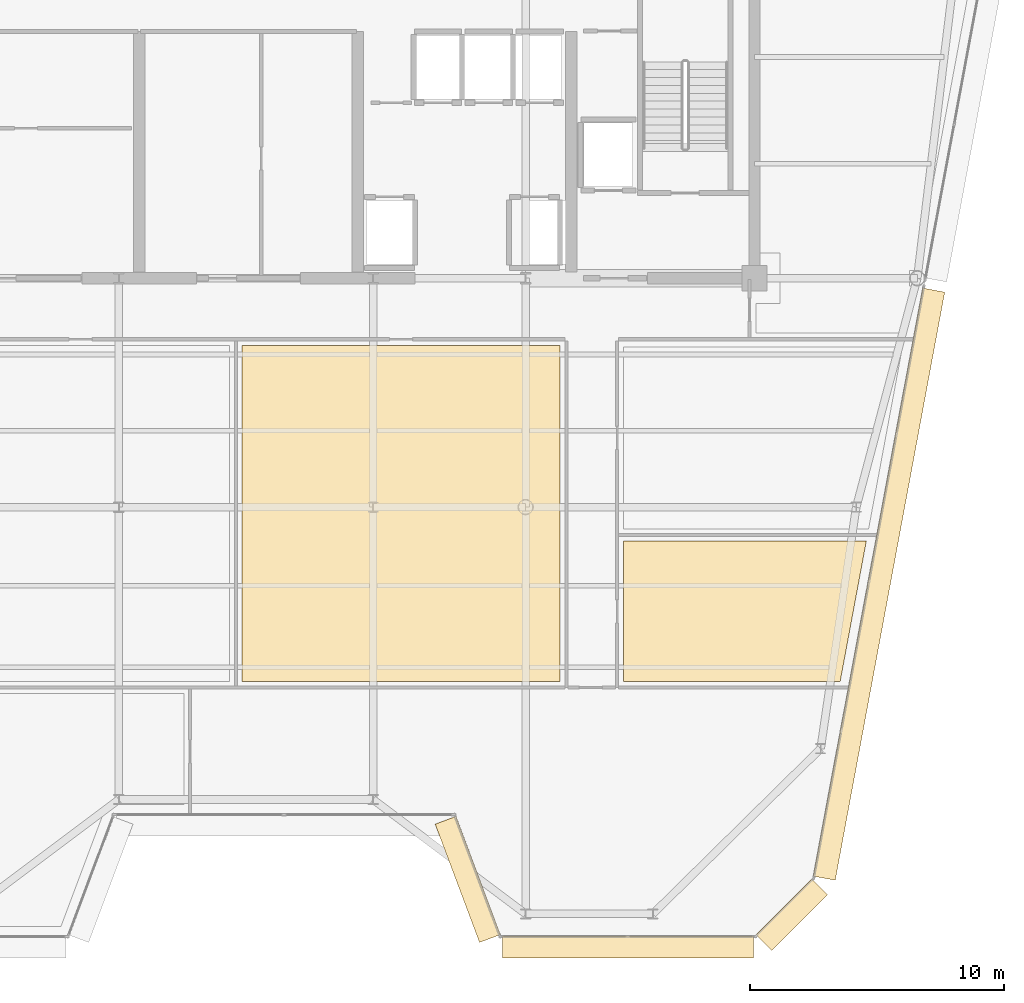
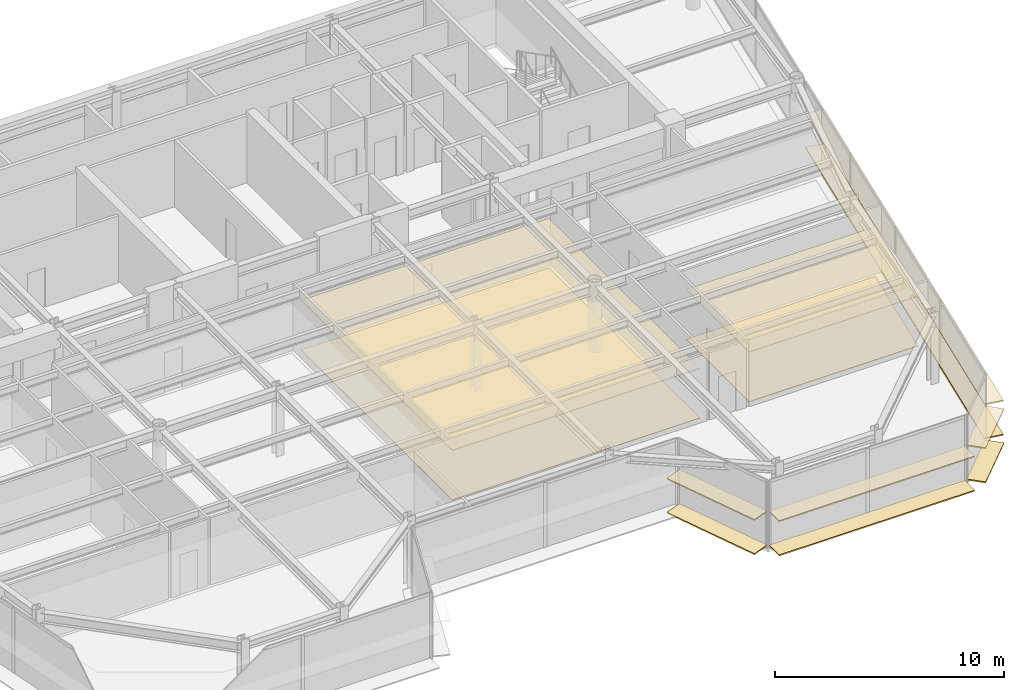
# One storey, part 15 of 19: 12 coverings.
"""IFC4 building model written with IfcOpenShell, lengths in metres."""

from ifc_helpers import new_model, si_unit, direction, frame, origin, origin_2d, place, context, subcontext, project, spatial, polyline, rectangle, outline, extrude, source, transform, mapped, material, layer, layer_set, type_object, element, save


model = new_model("IFC4")

# Units and contexts
model_context = context("Model", 3, precision=1e-05, world=origin(), true_north=direction((0.0, 1.0)))
body_context = subcontext(model_context, "Body", "Model", "MODEL_VIEW")
ifc_project = project(units=[si_unit("LENGTHUNIT", "METRE"), si_unit("AREAUNIT", "SQUARE_METRE"), si_unit("VOLUMEUNIT", "CUBIC_METRE"), si_unit("PLANEANGLEUNIT", "RADIAN"), si_unit("MASSUNIT", "GRAM", prefix="KILO")], contexts=[model_context])

# Site, building, storey
site_placement = place(None, origin())
site = spatial("IfcSite", under=ifc_project, at=site_placement, CompositionType="ELEMENT")
building_placement = place(site_placement, origin())
building = spatial("IfcBuilding", under=site, at=building_placement, Name="Vaeldorn Concourse Tower", CompositionType="ELEMENT")
storey_placement = place(building_placement, frame((0.0, 0.0, 249.800048828125)))
storey = spatial("IfcBuildingStorey", under=building, at=storey_placement, Name="L64", CompositionType="ELEMENT", Elevation=249.800048828125)

# Coverings
ifc_material_1 = material(Name="Acoustic Mineral Fibre Board", Category="gypsum")
ifc_layer_1 = layer(ifc_material_1, 0.0400390625)
ifc_layer_set_1 = layer_set([ifc_layer_1], Name="Acoustic Mineral Fibre Board")
covering_type_1 = type_object("IfcCoveringType", Name="COV-CEIL-ACOUSTIC", PredefinedType="CEILING", material=ifc_layer_set_1)
covering_1_placement = place(storey_placement, frame((0.0, 0.0, 2.64990234375)))
element("IfcCovering", 1, at=covering_1_placement, inside=storey, type_object=covering_type_1, Name="Suspended Acoustic Ceiling L64-8", PredefinedType="CEILING", context=body_context, shape_type="SweptSolid", body=[
    extrude(outline(polyline([(48.840087890625, 20.639892578125), (48.840087890625, 26.159912109375), (58.396240234375, 26.159912109375), (57.368408203125, 20.639892578125), (48.840087890625, 20.639892578125)])), origin(), (0.0, 0.0, 1.0), 0.0400390625),
])
covering_2_placement = place(storey_placement, frame((0.0, 0.0, 2.64990234375)))
element("IfcCovering", 2, at=covering_2_placement, inside=storey, type_object=covering_type_1, Name="Suspended Acoustic Ceiling L64-11", PredefinedType="CEILING", context=body_context, shape_type="SweptSolid", body=[
    extrude(outline(polyline([(33.840087890625, 33.860107421875), (46.360107421875, 33.860107421875), (46.360107421875, 20.639892578125), (33.840087890625, 20.639892578125), (33.840087890625, 33.860107421875)])), origin(), (0.0, 0.0, 1.0), 0.0400390625),
])
ifc_material_2 = material(Name="Honed Limestone Terrazzo Flooring", Category="masonry")
ifc_layer_2 = layer(ifc_material_2, 0.0400390625)
ifc_layer_set_2 = layer_set([ifc_layer_2], Name="Honed Limestone Terrazzo Flooring")
covering_type_2 = type_object("IfcCoveringType", Name="COV-FLOOR-STONE", PredefinedType="FLOORING", material=ifc_layer_set_2)
covering_3_placement = place(storey_placement, origin())
element("IfcCovering", 3, at=covering_3_placement, inside=storey, type_object=covering_type_2, Name="Floor Finish Covering L64-8", PredefinedType="FLOORING", context=body_context, shape_type="SweptSolid", body=[
    extrude(outline(polyline([(48.840087890625, 20.639892578125), (48.840087890625, 26.159912109375), (58.396240234375, 26.159912109375), (57.368408203125, 20.639892578125), (48.840087890625, 20.639892578125)])), origin(), (0.0, 0.0, 1.0), 0.030029296875),
])
covering_4_placement = place(storey_placement, origin())
element("IfcCovering", 4, at=covering_4_placement, inside=storey, type_object=covering_type_2, Name="Floor Finish Covering L64-11", PredefinedType="FLOORING", context=body_context, shape_type="SweptSolid", body=[
    extrude(outline(polyline([(33.840087890625, 33.860107421875), (46.360107421875, 33.860107421875), (46.360107421875, 20.639892578125), (33.840087890625, 20.639892578125), (33.840087890625, 33.860107421875)])), origin(), (0.0, 0.0, 1.0), 0.030029296875),
])
ifc_material_3 = material(Name="Anodised Bronze Aluminium", Category="aluminium")
ifc_layer_3 = layer(ifc_material_3, 0.06494140625)
ifc_layer_set_3 = layer_set([ifc_layer_3], Name="Anodised Bronze Aluminium")
covering_type_3 = type_object("IfcCoveringType", Name="SD-BRONZE-SUNSHADE", PredefinedType="USERDEFINED", material=ifc_layer_set_3)
shared_shape_1 = source(origin(), body_context, "Body", "SweptSolid", [
    extrude(rectangle(XDim=4.96630859375, YDim=0.8798828125, at=origin_2d()), origin(), (0.0, 0.0, 1.0), 0.06494140625),
])
for number, where, z_axis, x_axis, name in (
    (5, (42.7255859375, 12.859619140625, 0.04736328125), (0.0, 0.0, 1.0), (0.351122702609, -0.936329454686, 0.0), "Horizontal Bronze Sunshade L64-E04.1.1"),
    (6, (42.7255859375, 12.859619140625, 1.867431640625), (0.0, 0.0, 1.0), (0.351122702609, -0.936329454686, 0.0), "Horizontal Bronze Sunshade L64-E04.1.2"),
):
    element("IfcCovering", number, at=place(storey_placement, frame(where, z_axis=z_axis, x_axis=x_axis)), inside=storey, type_object=covering_type_3, Name=name, ObjectType="SUNSHADE", PredefinedType="USERDEFINED", context=body_context, shape_type="MappedRepresentation", body=[
        mapped(shared_shape_1, transform((0.0, 0.0, 0.0), scale=1.0)),
    ])
shared_shape_2 = source(origin(), body_context, "Body", "SweptSolid", [
    extrude(rectangle(XDim=3.0927734375, YDim=0.8798828125, at=origin_2d()), origin(), (0.0, 0.0, 1.0), 0.06494140625),
])
for number, where, z_axis, x_axis, name in (
    (7, (55.466796875, 11.46728515625, 0.04736328125), (0.0, 0.0, 1.0), (0.707106781187, 0.707106781187, 0.0), "Horizontal Bronze Sunshade L64-E06.1.1"),
    (8, (55.466796875, 11.46728515625, 1.867431640625), (0.0, 0.0, 1.0), (0.707106781187, 0.707106781187, 0.0), "Horizontal Bronze Sunshade L64-E06.1.2"),
):
    element("IfcCovering", number, at=place(storey_placement, frame(where, z_axis=z_axis, x_axis=x_axis)), inside=storey, type_object=covering_type_3, Name=name, ObjectType="SUNSHADE", PredefinedType="USERDEFINED", context=body_context, shape_type="MappedRepresentation", body=[
        mapped(shared_shape_2, transform((0.0, 0.0, 0.0), scale=1.0)),
    ])
shared_shape_3 = source(origin(), body_context, "Body", "SweptSolid", [
    extrude(rectangle(XDim=23.525146484375, YDim=0.8798828125, at=origin_2d()), origin(), (0.0, 0.0, 1.0), 0.06494140625),
])
for number, where, z_axis, x_axis, name in (
    (9, (58.89501953125, 24.46923828125, 0.04736328125), (0.0, 0.0, 1.0), (0.183059191151, 0.983101893262, 0.0), "Horizontal Bronze Sunshade L64-E07.1.1"),
    (10, (58.89501953125, 24.46923828125, 1.867431640625), (0.0, 0.0, 1.0), (0.183059191151, 0.983101893262, 0.0), "Horizontal Bronze Sunshade L64-E07.1.2"),
):
    element("IfcCovering", number, at=place(storey_placement, frame(where, z_axis=z_axis, x_axis=x_axis)), inside=storey, type_object=covering_type_3, Name=name, ObjectType="SUNSHADE", PredefinedType="USERDEFINED", context=body_context, shape_type="MappedRepresentation", body=[
        mapped(shared_shape_3, transform((0.0, 0.0, 0.0), scale=1.0)),
    ])
shared_shape_4 = source(origin(), body_context, "Body", "SweptSolid", [
    extrude(rectangle(XDim=9.8740234375, YDim=0.8798828125, at=origin_2d()), origin(), (0.0, 0.0, 1.0), 0.06494140625),
])
for number, where, z_axis, x_axis, name in (
    (11, (49.01708984375, 10.199951171875, 0.04736328125), (0.0, 0.0, 1.0), (1.0, 0.0, 0.0), "Horizontal Bronze Sunshade L64-E05.1.1"),
    (12, (49.01708984375, 10.199951171875, 1.867431640625), (0.0, 0.0, 1.0), (1.0, 0.0, 0.0), "Horizontal Bronze Sunshade L64-E05.1.2"),
):
    element("IfcCovering", number, at=place(storey_placement, frame(where, z_axis=z_axis, x_axis=x_axis)), inside=storey, type_object=covering_type_3, Name=name, ObjectType="SUNSHADE", PredefinedType="USERDEFINED", context=body_context, shape_type="MappedRepresentation", body=[
        mapped(shared_shape_4, transform((0.0, 0.0, 0.0), scale=1.0)),
    ])

save(model, "model.ifc")
